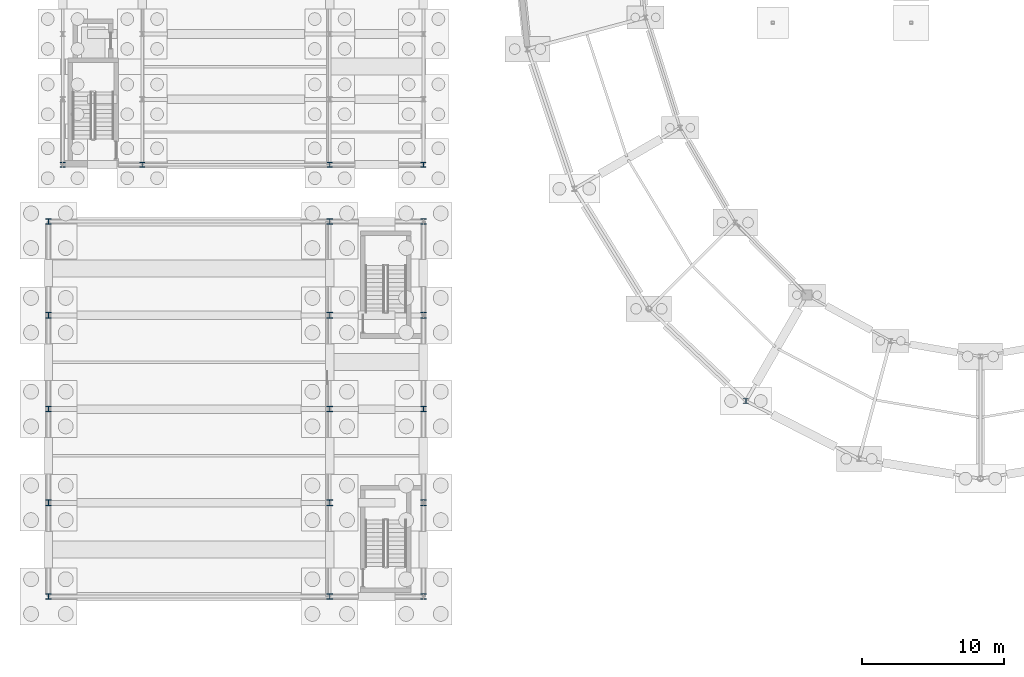
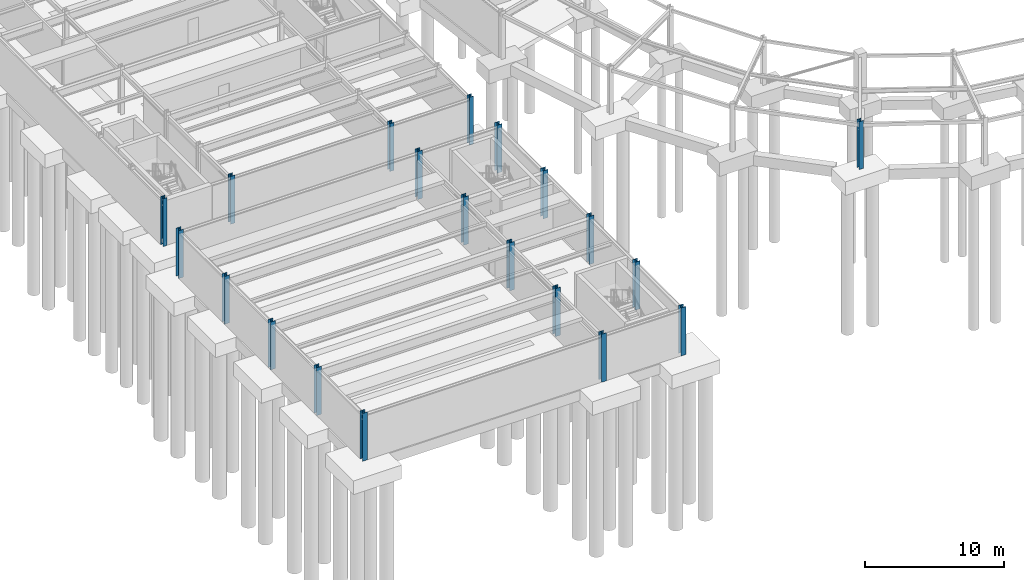
# One storey, part 8 of 58: 20 columns.
"""IFC4 building model written with IfcOpenShell, lengths in metres."""

from ifc_helpers import new_model, si_unit, direction, frame, origin, origin_2d, place, context, subcontext, project, spatial, i_section, extrude, material, material_profile, profile_set, type_object, element, save


model = new_model("IFC4")

# Units and contexts
model_context = context("Model", 3, precision=1e-05, world=origin(), true_north=direction((0.0, 1.0)))
body_context = subcontext(model_context, "Body", "Model", "MODEL_VIEW")
ifc_project = project(units=[si_unit("LENGTHUNIT", "METRE"), si_unit("AREAUNIT", "SQUARE_METRE"), si_unit("VOLUMEUNIT", "CUBIC_METRE"), si_unit("PLANEANGLEUNIT", "RADIAN"), si_unit("MASSUNIT", "GRAM", prefix="KILO")], contexts=[model_context])

# Site, building, storey
site_placement = place(None, origin())
site = spatial("IfcSite", under=ifc_project, at=site_placement, CompositionType="ELEMENT")
building_placement = place(site_placement, origin())
building = spatial("IfcBuilding", under=site, at=building_placement, Name="Karori Crest Natural Sciences Institute", CompositionType="ELEMENT")
storey_placement = place(building_placement, frame((0.0, 0.0, -4.199951171875)))
storey = spatial("IfcBuildingStorey", under=building, at=storey_placement, Name="B1", CompositionType="ELEMENT", Elevation=-4.199951171875)

# Columns
ifc_material = material(Name="Structural steel AS/NZS 3679.1 Grade 350", Category="steel")
ifc_material_profile_1 = material_profile(ifc_material, i_section(OverallWidth=0.39990234375, OverallDepth=0.39990234375, WebThickness=0.02001953125, FlangeThickness=0.034912109375, FilletRadius=0.01611328125, at=origin_2d()), Name="400WC328")
ifc_profile_set_1 = profile_set([ifc_material_profile_1], Name="Structural steel AS/NZS 3679.1 Grade 350")
column_type_1 = type_object("IfcColumnType", Name="CT-02", PredefinedType="COLUMN", material=ifc_profile_set_1)
for number, where, z_axis, x_axis, name in (
    (1, (0.800048828125, 0.800048828125, 0.0), (0.0, 0.0, 1.0), (1.0, 0.0, 0.0), "Column C-0469"),
    (2, (0.800048828125, 7.39990234375, 0.0), (0.0, 0.0, 1.0), (1.0, 0.0, 0.0), "Column C-0473"),
    (3, (0.800048828125, 14.0, 0.0), (0.0, 0.0, 1.0), (1.0, 0.0, 0.0), "Column C-0477"),
    (4, (0.800048828125, 20.60009765625, 0.0), (0.0, 0.0, 1.0), (1.0, 0.0, 0.0), "Column C-0481"),
    (5, (0.800048828125, 27.199951171875, 0.0), (0.0, 0.0, 1.0), (1.0, 0.0, 0.0), "Column C-0485"),
    (6, (20.60009765625, 0.800048828125, 0.0), (0.0, 0.0, 1.0), (1.0, 0.0, 0.0), "Column C-0489"),
    (7, (20.60009765625, 7.39990234375, 0.0), (0.0, 0.0, 1.0), (1.0, 0.0, 0.0), "Column C-0493"),
    (8, (20.60009765625, 14.0, 0.0), (0.0, 0.0, 1.0), (1.0, 0.0, 0.0), "Column C-0497"),
    (9, (20.60009765625, 20.60009765625, 0.0), (0.0, 0.0, 1.0), (1.0, 0.0, 0.0), "Column C-0501"),
    (10, (20.60009765625, 27.199951171875, 0.0), (0.0, 0.0, 1.0), (1.0, 0.0, 0.0), "Column C-0505"),
    (11, (27.199951171875, 0.800048828125, 0.0), (0.0, 0.0, 1.0), (1.0, 0.0, 0.0), "Column C-0509"),
    (12, (27.199951171875, 7.39990234375, 0.0), (0.0, 0.0, 1.0), (1.0, 0.0, 0.0), "Column C-0513"),
    (13, (27.199951171875, 14.0, 0.0), (0.0, 0.0, 1.0), (1.0, 0.0, 0.0), "Column C-0517"),
    (14, (27.199951171875, 20.60009765625, 0.0), (0.0, 0.0, 1.0), (1.0, 0.0, 0.0), "Column C-0521"),
    (15, (27.199951171875, 27.199951171875, 0.0), (0.0, 0.0, 1.0), (1.0, 0.0, 0.0), "Column C-0525"),
):
    element("IfcColumn", number, at=place(storey_placement, frame(where, z_axis=z_axis, x_axis=x_axis)), inside=storey, type_object=column_type_1, Name=name, PredefinedType="COLUMN", context=body_context, shape_type="SweptSolid", body=[
        extrude(i_section(OverallWidth=0.39990234375, OverallDepth=0.39990234375, WebThickness=0.02001953125, FlangeThickness=0.034912109375, FilletRadius=0.01611328125, at=origin_2d()), origin(), (0.0, 0.0, 1.0), 4.199951171875),
    ])
ifc_material_profile_2 = material_profile(ifc_material, i_section(OverallWidth=0.35009765625, OverallDepth=0.35009765625, WebThickness=0.02001953125, FlangeThickness=0.031982421875, FilletRadius=0.01611328125, at=origin_2d()), Name="350WC280")
ifc_profile_set_2 = profile_set([ifc_material_profile_2], Name="Structural steel AS/NZS 3679.1 Grade 350")
column_type_2 = type_object("IfcColumnType", Name="CT-03", PredefinedType="COLUMN", material=ifc_profile_set_2)
for number, where, z_axis, x_axis, name in (
    (16, (49.89990234375, 14.566162109375, 0.0), (0.0, 0.0, 1.0), (1.0, 0.0, 0.0), "Column C-0265"),
    (17, (1.800048828125, 31.199951171875, 0.0), (0.0, 0.0, 1.0), (1.0, 0.0, 0.0), "Column C-0529"),
    (18, (7.39990234375, 31.199951171875, 0.0), (0.0, 0.0, 1.0), (1.0, 0.0, 0.0), "Column C-0574"),
    (19, (20.60009765625, 31.199951171875, 0.0), (0.0, 0.0, 1.0), (1.0, 0.0, 0.0), "Column C-0619"),
    (20, (27.199951171875, 31.199951171875, 0.0), (0.0, 0.0, 1.0), (1.0, 0.0, 0.0), "Column C-0664"),
):
    element("IfcColumn", number, at=place(storey_placement, frame(where, z_axis=z_axis, x_axis=x_axis)), inside=storey, type_object=column_type_2, Name=name, PredefinedType="COLUMN", context=body_context, shape_type="SweptSolid", body=[
        extrude(i_section(OverallWidth=0.35009765625, OverallDepth=0.35009765625, WebThickness=0.02001953125, FlangeThickness=0.031982421875, FilletRadius=0.01611328125, at=origin_2d()), origin(), (0.0, 0.0, 1.0), 4.199951171875),
    ])

save(model, "model.ifc")
